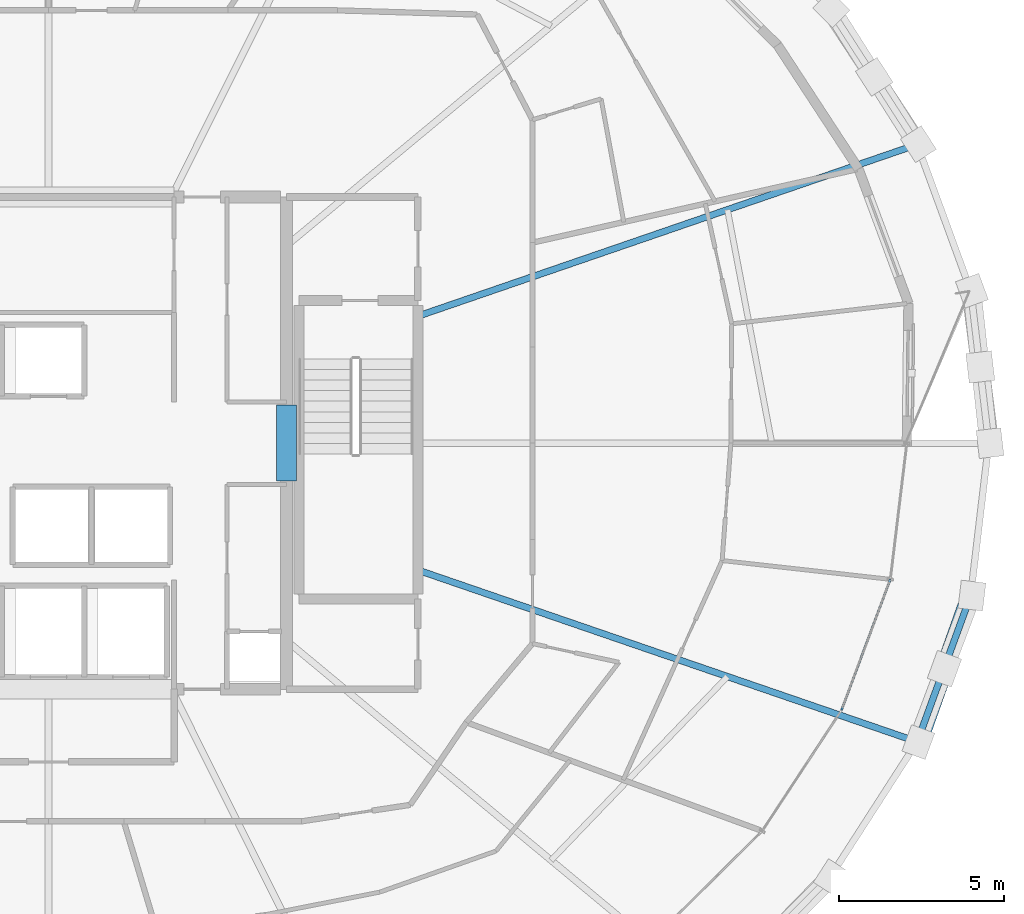
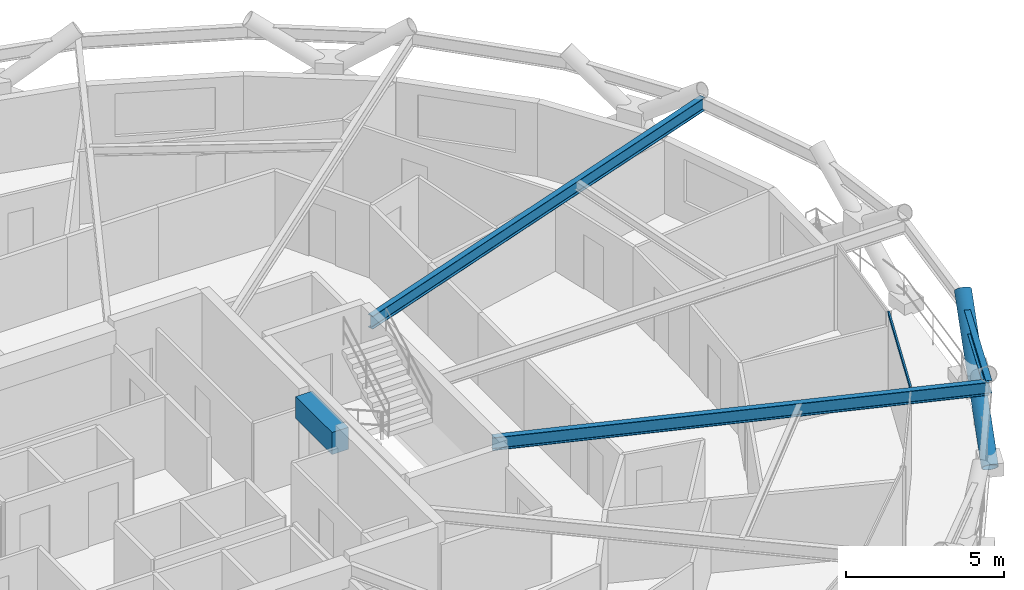
# One storey, part 8 of 21: 4 beams, 2 members, 1 element without a shape of its own.
"""IFC4 building model written with IfcOpenShell, lengths in metres."""

from ifc_helpers import new_model, si_unit, direction, frame, origin, origin_2d, place, context, subcontext, project, spatial, rectangle, hollow_rectangle, hollow_circle, i_section, extrude, material, layer, layer_set, material_profile, profile_set, type_object, element, aggregate, save


model = new_model("IFC4")

# Units and contexts
model_context = context("Model", 3, precision=1e-05, world=origin(), true_north=direction((0.0, 1.0)))
body_context = subcontext(model_context, "Body", "Model", "MODEL_VIEW")
ifc_project = project(units=[si_unit("LENGTHUNIT", "METRE"), si_unit("AREAUNIT", "SQUARE_METRE"), si_unit("VOLUMEUNIT", "CUBIC_METRE"), si_unit("PLANEANGLEUNIT", "RADIAN"), si_unit("MASSUNIT", "GRAM", prefix="KILO")], contexts=[model_context])

# Site, building, storey
site_placement = place(None, origin())
site = spatial("IfcSite", under=ifc_project, at=site_placement, CompositionType="ELEMENT")
building_placement = place(site_placement, origin())
building = spatial("IfcBuilding", under=site, at=building_placement, Name="Veldorina Hangang Commons", CompositionType="ELEMENT")
storey_placement = place(building_placement, frame((0.0, 0.0, 135.199951171875)))
storey = spatial("IfcBuildingStorey", under=building, at=storey_placement, Name="L34", CompositionType="ELEMENT", Elevation=135.199951171875)

# Beams
ifc_material_1 = material(Name="Concrete C60/75", Category="concrete")
ifc_material_profile_1 = material_profile(ifc_material_1, rectangle(XDim=0.60009765625, YDim=0.85009765625, at=origin_2d()), Name="RC-CB-600x850")
ifc_profile_set_1 = profile_set([ifc_material_profile_1], Name="Concrete C60/75")
beam_type_1 = type_object("IfcBeamType", Name="BM-CB850", PredefinedType="LINTEL", material=ifc_profile_set_1)
beam_1_placement = place(storey_placement, frame((39.199951171875, 22.85009765625, 2.925048828125), z_axis=(0.0, 1.0, 0.0), x_axis=(-1.0, 0.0, 0.0)))
element("IfcBeam", 1, at=beam_1_placement, inside=storey, type_object=beam_type_1, Name="L34 E core coupling lintel beam", PredefinedType="LINTEL", context=body_context, shape_type="SweptSolid", body=[
    extrude(rectangle(XDim=0.60009765625, YDim=0.85009765625, at=origin_2d()), origin(), (0.0, 0.0, 1.0), 2.2998046875),
])
ifc_material_2 = material(Name="Steel SM420-TMC", Category="steel")
ifc_material_profile_2 = material_profile(ifc_material_2, i_section(OverallWidth=0.199951171875, OverallDepth=0.5, WebThickness=0.010009765625, FlangeThickness=0.01611328125, FilletRadius=0.01611328125, at=origin_2d()), Name="H-500x200x10x16")
ifc_profile_set_2 = profile_set([ifc_material_profile_2], Name="Steel SM420-TMC")
beam_type_2 = type_object("IfcBeamType", Name="BM-FG500", PredefinedType="BEAM", material=ifc_profile_set_2)
for number, where, z_axis, x_axis, name in (
    (2, (43.179931640625, 27.843505859375, 3.10009765625), (0.945671046153, 0.325125010522, 0.0), (-0.325125010522, 0.945671046153, 0.0), "L34 radial floor girder 02"),
    (3, (43.179931640625, 20.156494140625, 3.10009765625), (0.945671046153, -0.325125010522, 0.0), (0.325125010522, 0.945671046153, 0.0), "L34 radial floor girder 16"),
):
    element("IfcBeam", number, at=place(storey_placement, frame(where, z_axis=z_axis, x_axis=x_axis)), inside=storey, type_object=beam_type_2, Name=name, PredefinedType="BEAM", context=body_context, shape_type="SweptSolid", body=[
        extrude(i_section(OverallWidth=0.199951171875, OverallDepth=0.5, WebThickness=0.010009765625, FlangeThickness=0.01611328125, FilletRadius=0.01611328125, at=origin_2d()), origin(), (0.0, 0.0, 1.0), 15.986083984375),
    ])
ifc_material_profile_3 = material_profile(ifc_material_2, i_section(OverallWidth=0.199951171875, OverallDepth=0.5, WebThickness=0.010009765625, FlangeThickness=0.01611328125, FilletRadius=0.01611328125, at=origin_2d()), Name="H-500x200x10x16")
ifc_profile_set_3 = profile_set([ifc_material_profile_3], Name="Steel SM420-TMC")
beam_type_3 = type_object("IfcBeamType", Name="BM-RB500", PredefinedType="BEAM", material=ifc_profile_set_3)
beam_2_placement = place(storey_placement, frame((58.297607421875, 14.958984375, 3.10009765625), z_axis=(0.343275460832, 0.939234772562, 0.0), x_axis=(-0.939234772562, 0.343275460832, 0.0)))
element("IfcBeam", 4, at=beam_2_placement, inside=storey, type_object=beam_type_3, Name="L34 perimeter hoop ring beam 30", PredefinedType="BEAM", context=body_context, shape_type="SweptSolid", body=[
    extrude(i_section(OverallWidth=0.199951171875, OverallDepth=0.5, WebThickness=0.010009765625, FlangeThickness=0.01611328125, FilletRadius=0.01611328125, at=origin_2d()), origin(), (0.0, 0.0, 1.0), 4.718994140625),
])

# Curtain wall, member
ifc_material_3 = material(Name="Glass Low-E Triple IGU", Category="glass")
ifc_layer = layer(ifc_material_3, 0.179931640625)
ifc_layer_set = layer_set([ifc_layer], Name="Glass Low-E Triple IGU")
curtain_wall_type = type_object("IfcCurtainWallType", Name="CW-SYS-Z2", PredefinedType="NOTDEFINED", material=ifc_layer_set)
curtain_wall_placement = place(storey_placement, origin())
curtain_wall = element("IfcCurtainWall", 5, at=curtain_wall_placement, inside=storey, type_object=curtain_wall_type, Name="L34 unitised curtain wall CW-L34-R2", PredefinedType="NOTDEFINED")
ifc_material_4 = material(Name="Aluminium Anodized AA6063-T6", Category="aluminium")
ifc_material_profile_4 = material_profile(ifc_material_4, hollow_rectangle(XDim=0.06005859375, YDim=0.139892578125, WallThickness=0.00341796875, at=origin_2d()), Name="ALU-RHS-140x60x3.5")
ifc_profile_set_4 = profile_set([ifc_material_profile_4], Name="Aluminium Anodized AA6063-T6")
member_type_1 = type_object("IfcMemberType", Name="CW-TRN-140", PredefinedType="USERDEFINED", material=ifc_profile_set_4)
member_1_placement = place(storey_placement, frame((56.003662109375, 15.91357421875, 3.27001953125), z_axis=(0.34945972725, 0.936951385628, 0.0), x_axis=(-0.936951385628, 0.34945972725, 0.0)))
member_1 = element("IfcMember", 6, at=member_1_placement, type_object=member_type_1, Name="CW-L34-R2 facet 4 transom 1", ObjectType="TRANSOM", PredefinedType="USERDEFINED", context=body_context, shape_type="SweptSolid", body=[
    extrude(hollow_rectangle(XDim=0.06005859375, YDim=0.139892578125, WallThickness=0.00341796875, at=origin_2d()), origin(), (0.0, 0.0, 1.0), 4.23095703125),
])
aggregate(curtain_wall, [member_1])

# Member
ifc_material_profile_5 = material_profile(ifc_material_2, hollow_circle(Radius=0.27490234375, WallThickness=0.028076171875, at=origin_2d()), Name="CHS-550x28")
ifc_profile_set_5 = profile_set([ifc_material_profile_5], Name="Steel SM420-TMC")
member_type_2 = type_object("IfcMemberType", Name="DG-CHS550", PredefinedType="BRACE", material=ifc_profile_set_5)
member_2_placement = place(storey_placement, frame((58.331787109375, 14.94921875, 0.0), z_axis=(0.266305504333, 0.748873630404, 0.60685225883), x_axis=(-0.942199071953, 0.335053590955, 0.0)))
element("IfcMember", 7, at=member_2_placement, inside=storey, type_object=member_type_2, Name="L34 continuous perimeter diagrid brace 30", PredefinedType="BRACE", context=body_context, shape_type="SweptSolid", body=[
    extrude(hollow_circle(Radius=0.27490234375, WallThickness=0.028076171875, at=origin_2d()), origin(), (0.0, 0.0, 1.0), 5.932373046875),
])

save(model, "model.ifc")
